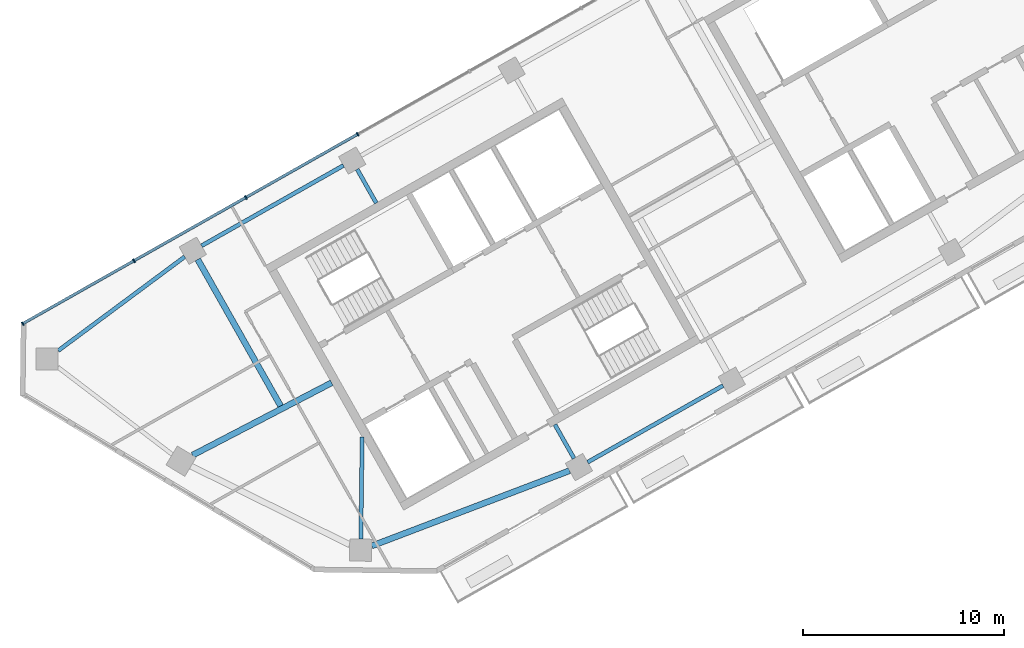
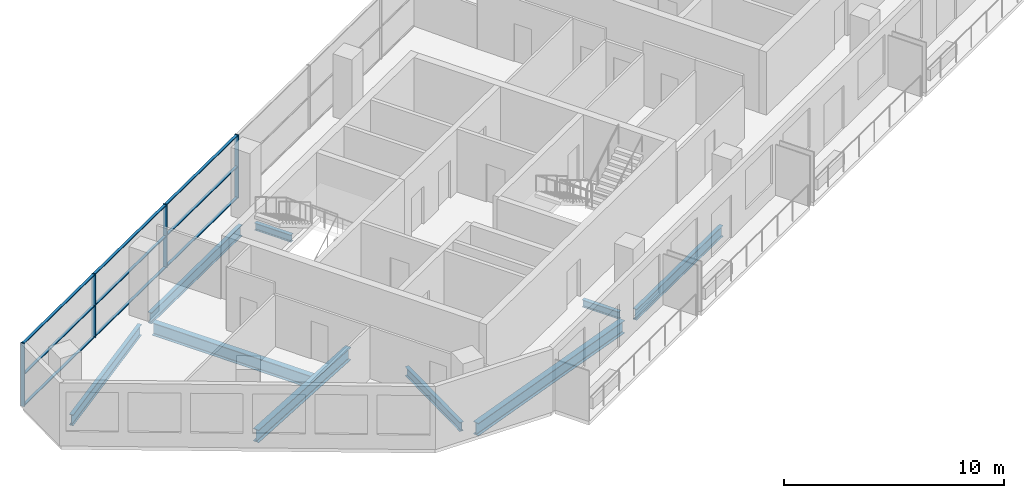
# One storey, part 2 of 10: 13 members, 9 beams, 1 element without a shape of its own.
"""IFC4 building model written with IfcOpenShell, lengths in metres."""

from ifc_helpers import new_model, si_unit, direction, frame, origin, origin_2d, place, context, subcontext, project, spatial, rectangle, i_section, extrude, material, material_profile, profile_set, type_object, element, aggregate, save


model = new_model("IFC4")

# Units and contexts
model_context = context("Model", 3, precision=1e-05, world=origin(), true_north=direction((0.0, 1.0)))
body_context = subcontext(model_context, "Body", "Model", "MODEL_VIEW")
ifc_project = project(units=[si_unit("LENGTHUNIT", "METRE"), si_unit("AREAUNIT", "SQUARE_METRE"), si_unit("VOLUMEUNIT", "CUBIC_METRE"), si_unit("PLANEANGLEUNIT", "RADIAN"), si_unit("MASSUNIT", "GRAM", prefix="KILO")], contexts=[model_context])

# Site, building, storey
site_placement = place(None, origin())
site = spatial("IfcSite", under=ifc_project, at=site_placement, CompositionType="ELEMENT")
building_placement = place(site_placement, origin())
building = spatial("IfcBuilding", under=site, at=building_placement, Name="Binnacle Exchange Tower", CompositionType="ELEMENT")
storey_placement = place(building_placement, frame((0.0, 0.0, 343.10009765625)))
storey = spatial("IfcBuildingStorey", under=building, at=storey_placement, Name="L78", CompositionType="ELEMENT", Elevation=343.10009765625)

# Curtain wall, members
ifc_material_1 = material(Name="Bronze anodised aluminium frame", Category="aluminium")
curtain_wall_type = type_object("IfcCurtainWallType", Name="External wall - curtain wall executive floors", PredefinedType="NOTDEFINED", material=ifc_material_1)
curtain_wall_placement = place(storey_placement, origin())
curtain_wall = element("IfcCurtainWall", 1, at=curtain_wall_placement, inside=storey, type_object=curtain_wall_type, Name="External wall curtain wall CW4-H03 L78", PredefinedType="NOTDEFINED")
ifc_material_profile_1 = material_profile(ifc_material_1, rectangle(XDim=0.199951171875, YDim=0.070068359375, at=origin_2d()), Name="AL 70x200")
ifc_profile_set_1 = profile_set([ifc_material_profile_1], Name="Bronze anodised aluminium frame")
member_type_1 = type_object("IfcMemberType", Name="CW4 MULLION 70x200", PredefinedType="MULLION", material=ifc_profile_set_1)
member_1_placement = place(storey_placement, frame((-42.0078125, 48.233154296875, 0.0), z_axis=(0.0, 0.0, 1.0), x_axis=(0.492423763019, -0.870355581136, 0.0)))
member_1 = element("IfcMember", 2, at=member_1_placement, type_object=member_type_1, Name="CW4-H03 mullion 8", PredefinedType="MULLION", context=body_context, shape_type="SweptSolid", body=[
    extrude(rectangle(XDim=0.199951171875, YDim=0.070068359375, at=origin_2d()), origin(), (0.0, 0.0, 1.0), 3.5),
])
member_2_placement = place(storey_placement, frame((-47.58251953125, 45.0791015625, 0.0), z_axis=(0.0, 0.0, 1.0), x_axis=(0.492423763019, -0.870355581136, 0.0)))
member_2 = element("IfcMember", 3, at=member_2_placement, type_object=member_type_1, Name="CW4-H03 mullion 9", PredefinedType="MULLION", context=body_context, shape_type="SweptSolid", body=[
    extrude(rectangle(XDim=0.199951171875, YDim=0.070068359375, at=origin_2d()), origin(), (0.0, 0.0, 1.0), 3.5),
])
member_3_placement = place(storey_placement, frame((-53.157470703125, 41.9248046875, 0.0), z_axis=(0.0, 0.0, 1.0), x_axis=(0.492423763019, -0.870355581136, 0.0)))
member_3 = element("IfcMember", 4, at=member_3_placement, type_object=member_type_1, Name="CW4-H03 mullion 10", PredefinedType="MULLION", context=body_context, shape_type="SweptSolid", body=[
    extrude(rectangle(XDim=0.199951171875, YDim=0.070068359375, at=origin_2d()), origin(), (0.0, 0.0, 1.0), 3.5),
])
member_4_placement = place(storey_placement, frame((-58.701904296875, 38.7880859375, 0.0), z_axis=(0.0, 0.0, 1.0), x_axis=(0.492423763019, -0.870355581136, 0.0)))
member_4 = element("IfcMember", 5, at=member_4_placement, type_object=member_type_1, Name="CW4-H03 mullion 11", PredefinedType="MULLION", context=body_context, shape_type="SweptSolid", body=[
    extrude(rectangle(XDim=0.199951171875, YDim=0.070068359375, at=origin_2d()), origin(), (0.0, 0.0, 1.0), 3.5),
])
ifc_material_profile_2 = material_profile(ifc_material_1, rectangle(XDim=0.139892578125, YDim=0.050048828125, at=origin_2d()), Name="AL 140x50")
ifc_profile_set_2 = profile_set([ifc_material_profile_2], Name="Bronze anodised aluminium frame")
member_type_2 = type_object("IfcMemberType", Name="CW4 TRANSOM 50x140", PredefinedType="USERDEFINED", material=ifc_profile_set_2)
member_5_placement = place(storey_placement, frame((-42.0380859375, 48.2158203125, 0.02490234375), z_axis=(-0.870355335808, -0.492424196633, 0.0), x_axis=(0.492424196633, -0.870355335808, 0.0)))
member_5 = element("IfcMember", 6, at=member_5_placement, type_object=member_type_2, Name="CW4-H03 transom 8.1", ObjectType="TRANSOM", PredefinedType="USERDEFINED", context=body_context, shape_type="SweptSolid", body=[
    extrude(rectangle(XDim=0.139892578125, YDim=0.050048828125, at=origin_2d()), origin(), (0.0, 0.0, 1.0), 6.335205078125),
])
member_6_placement = place(storey_placement, frame((-42.0380859375, 48.2158203125, 1.75), z_axis=(-0.870355335808, -0.492424196633, 0.0), x_axis=(0.492424196633, -0.870355335808, 0.0)))
member_6 = element("IfcMember", 7, at=member_6_placement, type_object=member_type_2, Name="CW4-H03 transom 8.2", ObjectType="TRANSOM", PredefinedType="USERDEFINED", context=body_context, shape_type="SweptSolid", body=[
    extrude(rectangle(XDim=0.139892578125, YDim=0.050048828125, at=origin_2d()), origin(), (0.0, 0.0, 1.0), 6.335205078125),
])
member_7_placement = place(storey_placement, frame((-42.0380859375, 48.2158203125, 3.474853515625), z_axis=(-0.870355335808, -0.492424196633, 0.0), x_axis=(0.492424196633, -0.870355335808, 0.0)))
member_7 = element("IfcMember", 8, at=member_7_placement, type_object=member_type_2, Name="CW4-H03 transom 8.3", ObjectType="TRANSOM", PredefinedType="USERDEFINED", context=body_context, shape_type="SweptSolid", body=[
    extrude(rectangle(XDim=0.139892578125, YDim=0.050048828125, at=origin_2d()), origin(), (0.0, 0.0, 1.0), 6.335205078125),
])
member_8_placement = place(storey_placement, frame((-47.613037109375, 45.061767578125, 0.02490234375), z_axis=(-0.870355335808, -0.492424196633, 0.0), x_axis=(0.492424196633, -0.870355335808, 0.0)))
member_8 = element("IfcMember", 9, at=member_8_placement, type_object=member_type_2, Name="CW4-H03 transom 9.1", ObjectType="TRANSOM", PredefinedType="USERDEFINED", context=body_context, shape_type="SweptSolid", body=[
    extrude(rectangle(XDim=0.139892578125, YDim=0.050048828125, at=origin_2d()), origin(), (0.0, 0.0, 1.0), 6.335205078125),
])
member_9_placement = place(storey_placement, frame((-47.613037109375, 45.061767578125, 1.75), z_axis=(-0.870355335808, -0.492424196633, 0.0), x_axis=(0.492424196633, -0.870355335808, 0.0)))
member_9 = element("IfcMember", 10, at=member_9_placement, type_object=member_type_2, Name="CW4-H03 transom 9.2", ObjectType="TRANSOM", PredefinedType="USERDEFINED", context=body_context, shape_type="SweptSolid", body=[
    extrude(rectangle(XDim=0.139892578125, YDim=0.050048828125, at=origin_2d()), origin(), (0.0, 0.0, 1.0), 6.335205078125),
])
member_10_placement = place(storey_placement, frame((-47.613037109375, 45.061767578125, 3.474853515625), z_axis=(-0.870355335808, -0.492424196633, 0.0), x_axis=(0.492424196633, -0.870355335808, 0.0)))
member_10 = element("IfcMember", 11, at=member_10_placement, type_object=member_type_2, Name="CW4-H03 transom 9.3", ObjectType="TRANSOM", PredefinedType="USERDEFINED", context=body_context, shape_type="SweptSolid", body=[
    extrude(rectangle(XDim=0.139892578125, YDim=0.050048828125, at=origin_2d()), origin(), (0.0, 0.0, 1.0), 6.335205078125),
])
member_11_placement = place(storey_placement, frame((-53.18798828125, 41.90771484375, 0.02490234375), z_axis=(-0.870343349272, -0.492445382126, 0.0), x_axis=(0.492445382126, -0.870343349272, 0.0)))
member_11 = element("IfcMember", 12, at=member_11_placement, type_object=member_type_2, Name="CW4-H03 transom 10.1", ObjectType="TRANSOM", PredefinedType="USERDEFINED", context=body_context, shape_type="SweptSolid", body=[
    extrude(rectangle(XDim=0.139892578125, YDim=0.050048828125, at=origin_2d()), origin(), (0.0, 0.0, 1.0), 6.30029296875),
])
member_12_placement = place(storey_placement, frame((-53.18798828125, 41.90771484375, 1.75), z_axis=(-0.870343349272, -0.492445382126, 0.0), x_axis=(0.492445382126, -0.870343349272, 0.0)))
member_12 = element("IfcMember", 13, at=member_12_placement, type_object=member_type_2, Name="CW4-H03 transom 10.2", ObjectType="TRANSOM", PredefinedType="USERDEFINED", context=body_context, shape_type="SweptSolid", body=[
    extrude(rectangle(XDim=0.139892578125, YDim=0.050048828125, at=origin_2d()), origin(), (0.0, 0.0, 1.0), 6.30029296875),
])
member_13_placement = place(storey_placement, frame((-53.18798828125, 41.90771484375, 3.474853515625), z_axis=(-0.870343349272, -0.492445382126, 0.0), x_axis=(0.492445382126, -0.870343349272, 0.0)))
member_13 = element("IfcMember", 14, at=member_13_placement, type_object=member_type_2, Name="CW4-H03 transom 10.3", ObjectType="TRANSOM", PredefinedType="USERDEFINED", context=body_context, shape_type="SweptSolid", body=[
    extrude(rectangle(XDim=0.139892578125, YDim=0.050048828125, at=origin_2d()), origin(), (0.0, 0.0, 1.0), 6.30029296875),
])
aggregate(curtain_wall, [member_1, member_2, member_3, member_4, member_5, member_6, member_7, member_8, member_9, member_10, member_11, member_12, member_13])

# Beams
ifc_material_2 = material(Name="Steel S355 (SHN355)", Category="steel")
ifc_material_profile_3 = material_profile(ifc_material_2, i_section(OverallWidth=0.200927734375, OverallDepth=0.60595703125, WebThickness=0.011962890625, FlangeThickness=0.02001953125, FilletRadius=0.02197265625, at=origin_2d()), Name="H 606x201x12x20")
ifc_profile_set_3 = profile_set([ifc_material_profile_3], Name="Steel S355 (SHN355)")
beam_type_1 = type_object("IfcBeamType", Name="Edge girder H 606x201x12x20 Steel S355 (SHN355)", PredefinedType="SPANDREL", material=ifc_profile_set_3)
beam_1_placement = place(storey_placement, frame((-50.630615234375, 42.12255859375, -0.5830078125), z_axis=(-0.802881126557, -0.596139158769, 0.0), x_axis=(0.596139158769, -0.802881126557, 0.0)))
element("IfcBeam", 15, at=beam_1_placement, inside=storey, type_object=beam_type_1, Name="S:BM:edge:L78:005", PredefinedType="SPANDREL", context=body_context, shape_type="SweptSolid", body=[
    extrude(i_section(OverallWidth=0.200927734375, OverallDepth=0.60595703125, WebThickness=0.011962890625, FlangeThickness=0.02001953125, FilletRadius=0.02197265625, at=origin_2d()), origin(), (0.0, 0.0, 1.0), 7.855224609375),
])
beam_2_placement = place(storey_placement, frame((-30.540283203125, 31.881591796875, -0.5830078125), z_axis=(0.870358700717, 0.49241824914, 0.0), x_axis=(-0.49241824914, 0.870358700717, 0.0)))
element("IfcBeam", 16, at=beam_2_placement, inside=storey, type_object=beam_type_1, Name="S:BM:edge:L78:010", PredefinedType="SPANDREL", context=body_context, shape_type="SweptSolid", body=[
    extrude(i_section(OverallWidth=0.200927734375, OverallDepth=0.60595703125, WebThickness=0.011962890625, FlangeThickness=0.02001953125, FilletRadius=0.02197265625, at=origin_2d()), origin(), (0.0, 0.0, 1.0), 7.75439453125),
])
ifc_material_profile_4 = material_profile(ifc_material_2, i_section(OverallWidth=0.201904296875, OverallDepth=0.612060546875, WebThickness=0.012939453125, FlangeThickness=0.02294921875, FilletRadius=0.02197265625, at=origin_2d()), Name="H 612x202x13x23")
ifc_profile_set_4 = profile_set([ifc_material_profile_4], Name="Steel S355 (SHN355)")
beam_type_2 = type_object("IfcBeamType", Name="Edge girder H 612x202x13x23 Steel S355 (SHN355)", PredefinedType="SPANDREL", material=ifc_profile_set_4)
beam_3_placement = place(storey_placement, frame((-42.715087890625, 46.672607421875, -0.586181640625), z_axis=(-0.870353024448, -0.49242828192, 0.0), x_axis=(0.49242828192, -0.870353024448, 0.0)))
element("IfcBeam", 17, at=beam_3_placement, inside=storey, type_object=beam_type_2, Name="S:BM:edge:L78:007", PredefinedType="SPANDREL", context=body_context, shape_type="SweptSolid", body=[
    extrude(i_section(OverallWidth=0.201904296875, OverallDepth=0.612060546875, WebThickness=0.012939453125, FlangeThickness=0.02294921875, FilletRadius=0.02197265625, at=origin_2d()), origin(), (0.0, 0.0, 1.0), 8.1298828125),
])
ifc_material_profile_5 = material_profile(ifc_material_2, i_section(OverallWidth=0.300048828125, OverallDepth=0.699951171875, WebThickness=0.012939453125, FlangeThickness=0.02392578125, FilletRadius=0.028076171875, at=origin_2d()), Name="H 700x300x13x24")
ifc_profile_set_5 = profile_set([ifc_material_profile_5], Name="Steel S355 (SHN355)")
beam_type_3 = type_object("IfcBeamType", Name="Edge girder H 700x300x13x24 Steel S355 (SHN355)", PredefinedType="SPANDREL", material=ifc_profile_set_5)
beam_4_placement = place(storey_placement, frame((-41.304931640625, 27.705078125, -0.630126953125), z_axis=(0.934635447744, 0.35560733938, 0.0), x_axis=(-0.35560733938, 0.934635447744, 0.0)))
element("IfcBeam", 18, at=beam_4_placement, inside=storey, type_object=beam_type_3, Name="S:BM:edge:L78:008", PredefinedType="SPANDREL", context=body_context, shape_type="SweptSolid", body=[
    extrude(i_section(OverallWidth=0.300048828125, OverallDepth=0.699951171875, WebThickness=0.012939453125, FlangeThickness=0.02392578125, FilletRadius=0.028076171875, at=origin_2d()), origin(), (0.0, 0.0, 1.0), 10.546142578125),
])
ifc_material_profile_6 = material_profile(ifc_material_2, i_section(OverallWidth=0.199951171875, OverallDepth=0.39990234375, WebThickness=0.008056640625, FlangeThickness=0.012939453125, FilletRadius=0.01611328125, at=origin_2d()), Name="H 400x200x8x13")
ifc_profile_set_6 = profile_set([ifc_material_profile_6], Name="Steel S355 (SHN355)")
beam_type_4 = type_object("IfcBeamType", Name="Floor beam H 400x200x8x13 Steel S355 (SHN355)", PredefinedType="BEAM", material=ifc_profile_set_6)
beam_5_placement = place(storey_placement, frame((-42.03369140625, 46.4833984375, -0.47998046875), z_axis=(0.492423244016, -0.870355874773, 0.0), x_axis=(0.870355874773, 0.492423244016, 0.0)))
element("IfcBeam", 19, at=beam_5_placement, inside=storey, type_object=beam_type_4, Name="S:BM:cross:L78:020", PredefinedType="BEAM", context=body_context, shape_type="SweptSolid", body=[
    extrude(i_section(OverallWidth=0.199951171875, OverallDepth=0.39990234375, WebThickness=0.008056640625, FlangeThickness=0.012939453125, FilletRadius=0.01611328125, at=origin_2d()), origin(), (0.0, 0.0, 1.0), 1.93408203125),
])
beam_6_placement = place(storey_placement, frame((-31.2216796875, 32.070556640625, -0.47998046875), z_axis=(-0.492518856771, 0.870301772792, 0.0), x_axis=(-0.870301772792, -0.492518856771, 0.0)))
element("IfcBeam", 20, at=beam_6_placement, inside=storey, type_object=beam_type_4, Name="S:BM:cross:L78:023", PredefinedType="BEAM", context=body_context, shape_type="SweptSolid", body=[
    extrude(i_section(OverallWidth=0.199951171875, OverallDepth=0.39990234375, WebThickness=0.008056640625, FlangeThickness=0.012939453125, FilletRadius=0.01611328125, at=origin_2d()), origin(), (0.0, 0.0, 1.0), 1.934326171875),
])
ifc_material_profile_7 = material_profile(ifc_material_2, i_section(OverallWidth=0.200927734375, OverallDepth=0.506103515625, WebThickness=0.010986328125, FlangeThickness=0.01904296875, FilletRadius=0.02001953125, at=origin_2d()), Name="H 506x201x11x19")
ifc_profile_set_7 = profile_set([ifc_material_profile_7], Name="Steel S355 (SHN355)")
beam_type_5 = type_object("IfcBeamType", Name="Floor beam H 506x201x11x19 Steel S355 (SHN355)", PredefinedType="BEAM", material=ifc_profile_set_7)
beam_7_placement = place(storey_placement, frame((-41.8505859375, 28.044921875, -0.533203125), z_axis=(0.013115195493, 0.999913992125, 0.0), x_axis=(-0.999913992125, 0.013115195493, 0.0)))
element("IfcBeam", 21, at=beam_7_placement, inside=storey, type_object=beam_type_5, Name="S:BM:cross:L78:021", PredefinedType="BEAM", context=body_context, shape_type="SweptSolid", body=[
    extrude(i_section(OverallWidth=0.200927734375, OverallDepth=0.506103515625, WebThickness=0.010986328125, FlangeThickness=0.01904296875, FilletRadius=0.02001953125, at=origin_2d()), origin(), (0.0, 0.0, 1.0), 5.1005859375),
])
ifc_material_profile_8 = material_profile(ifc_material_2, i_section(OverallWidth=0.300048828125, OverallDepth=0.699951171875, WebThickness=0.012939453125, FlangeThickness=0.02392578125, FilletRadius=0.028076171875, at=origin_2d()), Name="H 700x300x13x24")
ifc_profile_set_8 = profile_set([ifc_material_profile_8], Name="Steel S355 (SHN355)")
beam_type_6 = type_object("IfcBeamType", Name="Floor beam H 700x300x13x24 Steel S355 (SHN355)", PredefinedType="BEAM", material=ifc_profile_set_8)
beam_8_placement = place(storey_placement, frame((-49.97998046875, 41.98779296875, -0.630126953125), z_axis=(0.492421517933, -0.870356851341, 0.0), x_axis=(0.870356851341, 0.492421517933, 0.0)))
element("IfcBeam", 22, at=beam_8_placement, inside=storey, type_object=beam_type_6, Name="S:BM:cross:L78:019", PredefinedType="BEAM", context=body_context, shape_type="SweptSolid", body=[
    extrude(i_section(OverallWidth=0.300048828125, OverallDepth=0.699951171875, WebThickness=0.012939453125, FlangeThickness=0.02392578125, FilletRadius=0.028076171875, at=origin_2d()), origin(), (0.0, 0.0, 1.0), 8.391357421875),
])
ifc_material_profile_9 = material_profile(ifc_material_2, i_section(OverallWidth=0.300048828125, OverallDepth=0.699951171875, WebThickness=0.012939453125, FlangeThickness=0.02392578125, FilletRadius=0.028076171875, at=origin_2d()), Name="H 700x300x13x24")
ifc_profile_set_9 = profile_set([ifc_material_profile_9], Name="Steel S355 (SHN355)")
beam_type_7 = type_object("IfcBeamType", Name="Spine girder H 700x300x13x24 Steel S355 (SHN355)", PredefinedType="BEAM", material=ifc_profile_set_9)
beam_9_placement = place(storey_placement, frame((-50.239990234375, 32.228759765625, -0.630126953125), z_axis=(0.886978864001, 0.461810020264, 0.0), x_axis=(-0.461810020264, 0.886978864001, 0.0)))
element("IfcBeam", 23, at=beam_9_placement, inside=storey, type_object=beam_type_7, Name="S:BM:spine:L78:001", PredefinedType="BEAM", context=body_context, shape_type="SweptSolid", body=[
    extrude(i_section(OverallWidth=0.300048828125, OverallDepth=0.699951171875, WebThickness=0.012939453125, FlangeThickness=0.02392578125, FilletRadius=0.028076171875, at=origin_2d()), origin(), (0.0, 0.0, 1.0), 7.815673828125),
])

save(model, "model.ifc")
